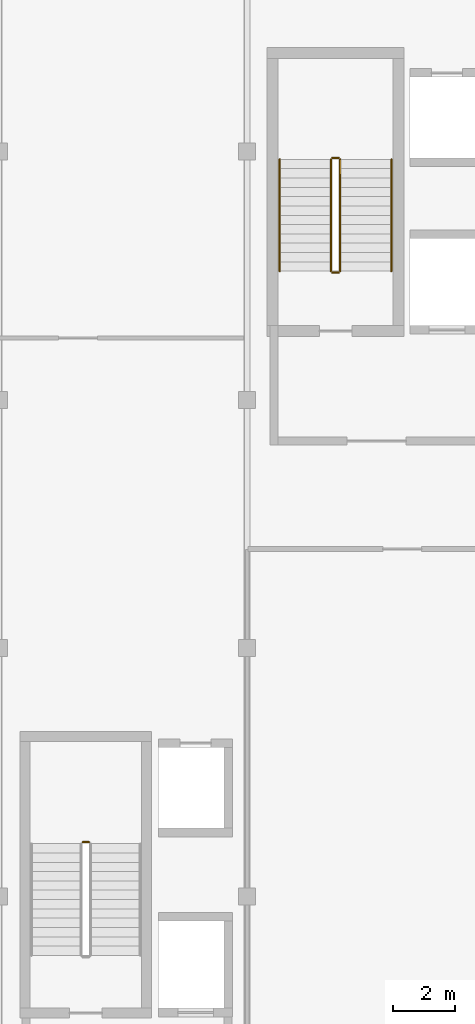
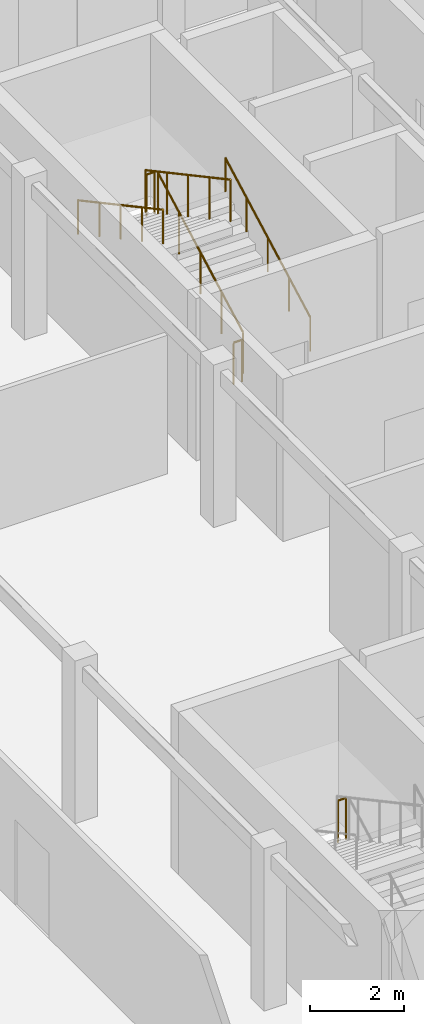
# One storey, part 9 of 9: 7 railings.
"""IFC4 building model written with IfcOpenShell, lengths in metres."""

from ifc_helpers import new_model, si_unit, direction, frame, origin, origin_2d, place, context, subcontext, project, spatial, circle, extrude, material, type_object, element, save


model = new_model("IFC4")

# Units and contexts
model_context = context("Model", 3, precision=1e-05, world=origin(), true_north=direction((0.0, 1.0)))
body_context = subcontext(model_context, "Body", "Model", "MODEL_VIEW")
ifc_project = project(units=[si_unit("LENGTHUNIT", "METRE"), si_unit("AREAUNIT", "SQUARE_METRE"), si_unit("VOLUMEUNIT", "CUBIC_METRE"), si_unit("PLANEANGLEUNIT", "RADIAN"), si_unit("MASSUNIT", "GRAM", prefix="KILO")], contexts=[model_context])

# Site, building, storey
site_placement = place(None, origin())
site = spatial("IfcSite", under=ifc_project, at=site_placement, CompositionType="ELEMENT")
building_placement = place(site_placement, origin())
building = spatial("IfcBuilding", under=site, at=building_placement, Name="Kenh Van Central Station", CompositionType="ELEMENT")
storey_placement = place(building_placement, frame((0.0, 0.0, 23.39990234375)))
storey = spatial("IfcBuildingStorey", under=building, at=storey_placement, Name="L05", CompositionType="ELEMENT", Elevation=23.39990234375)

# Railings
ifc_material = material(Name="Champagne anodised aluminium", Category="aluminium")
railing_type_1 = type_object("IfcRailingType", Name="RAIL-CORE-GRD110", PredefinedType="GUARDRAIL", material=ifc_material)
railing_1_placement = place(storey_placement, frame((154.89990234375, 33.75, 2.10009765625)))
element("IfcRailing", 1, at=railing_1_placement, inside=storey, type_object=railing_type_1, Name="L05 ST-09 stair guard 2", PredefinedType="GUARDRAIL", context=body_context, shape_type="SweptSolid", body=[
    extrude(circle(Radius=0.02392578125, at=origin_2d()), frame((0.0, 0.0, 1.076171875), z_axis=(-1.0, 0.0, 0.0), x_axis=(0.0, -1.0, 0.0)), (0.0, 0.0, 1.0), 0.199951171875),
    extrude(circle(Radius=0.02099609375, at=origin_2d()), origin(), (0.0, 0.0, 1.0), 1.052001953125),
    extrude(circle(Radius=0.02099609375, at=origin_2d()), frame((-0.199951171875, 0.0, 0.0)), (0.0, 0.0, 1.0), 1.052001953125),
])
railing_2_placement = place(storey_placement, frame((163.0, 52.14990234375, 0.16162109375)))
element("IfcRailing", 2, at=railing_2_placement, inside=storey, type_object=railing_type_1, Name="L05 ST-10 stair guard 1", PredefinedType="GUARDRAIL", context=body_context, shape_type="SweptSolid", body=[
    extrude(circle(Radius=0.02392578125, at=origin_2d()), frame((0.0, 0.0, 1.076171875), z_axis=(0.0, 0.880474934443, 0.474092701714), x_axis=(-1.0, 0.0, 0.0)), (0.0, 0.0, 1.0), 4.0888671875),
    extrude(circle(Radius=0.02099609375, at=origin_2d()), origin(), (0.0, 0.0, 1.0), 1.052001953125),
    extrude(circle(Radius=0.02099609375, at=origin_2d()), frame((0.0, 0.89990234375, 0.484619140625)), (0.0, 0.0, 1.0), 1.052001953125),
    extrude(circle(Radius=0.02099609375, at=origin_2d()), frame((0.0, 1.800048828125, 0.96923828125)), (0.0, 0.0, 1.0), 1.052001953125),
    extrude(circle(Radius=0.02099609375, at=origin_2d()), frame((0.0, 2.7001953125, 1.453857421875)), (0.0, 0.0, 1.0), 1.052001953125),
    extrude(circle(Radius=0.02099609375, at=origin_2d()), frame((0.0, 3.60009765625, 1.9384765625)), (0.0, 0.0, 1.0), 1.052001953125),
])
railing_3_placement = place(storey_placement, frame((162.949951171875, 55.800048828125, 2.10009765625)))
element("IfcRailing", 3, at=railing_3_placement, inside=storey, type_object=railing_type_1, Name="L05 ST-10 stair guard 2", PredefinedType="GUARDRAIL", context=body_context, shape_type="SweptSolid", body=[
    extrude(circle(Radius=0.02392578125, at=origin_2d()), frame((0.0, 0.0, 1.076171875), z_axis=(-1.0, 0.0, 0.0), x_axis=(0.0, -1.0, 0.0)), (0.0, 0.0, 1.0), 0.199951171875),
    extrude(circle(Radius=0.02099609375, at=origin_2d()), origin(), (0.0, 0.0, 1.0), 1.052001953125),
    extrude(circle(Radius=0.02099609375, at=origin_2d()), frame((-0.199951171875, 0.0, 0.0)), (0.0, 0.0, 1.0), 1.052001953125),
])
railing_4_placement = place(storey_placement, frame((162.699951171875, 55.75, 2.26171875)))
element("IfcRailing", 4, at=railing_4_placement, inside=storey, type_object=railing_type_1, Name="L05 ST-10 stair guard 3", PredefinedType="GUARDRAIL", context=body_context, shape_type="SweptSolid", body=[
    extrude(circle(Radius=0.02392578125, at=origin_2d()), frame((0.0, 0.0, 1.076171875), z_axis=(0.0, -0.880474934443, 0.474092701714), x_axis=(1.0, 0.0, 0.0)), (0.0, 0.0, 1.0), 4.0888671875),
    extrude(circle(Radius=0.02099609375, at=origin_2d()), origin(), (0.0, 0.0, 1.0), 1.052001953125),
    extrude(circle(Radius=0.02099609375, at=origin_2d()), frame((0.0, -0.89990234375, 0.484619140625)), (0.0, 0.0, 1.0), 1.052001953125),
    extrude(circle(Radius=0.02099609375, at=origin_2d()), frame((0.0, -1.800048828125, 0.96923828125)), (0.0, 0.0, 1.0), 1.052001953125),
    extrude(circle(Radius=0.02099609375, at=origin_2d()), frame((0.0, -2.7001953125, 1.453857421875)), (0.0, 0.0, 1.0), 1.052001953125),
    extrude(circle(Radius=0.02099609375, at=origin_2d()), frame((0.0, -3.60009765625, 1.9384765625)), (0.0, 0.0, 1.0), 1.052001953125),
])
railing_5_placement = place(storey_placement, frame((162.949951171875, 52.10009765625, 0.0)))
element("IfcRailing", 5, at=railing_5_placement, inside=storey, type_object=railing_type_1, Name="L05 ST-10 stair guard 4", PredefinedType="GUARDRAIL", context=body_context, shape_type="SweptSolid", body=[
    extrude(circle(Radius=0.02392578125, at=origin_2d()), frame((0.0, 0.0, 1.076171875), z_axis=(-1.0, 0.0, 0.0), x_axis=(0.0, -1.0, 0.0)), (0.0, 0.0, 1.0), 0.199951171875),
    extrude(circle(Radius=0.02099609375, at=origin_2d()), origin(), (0.0, 0.0, 1.0), 1.052001953125),
    extrude(circle(Radius=0.02099609375, at=origin_2d()), frame((-0.199951171875, 0.0, 0.0)), (0.0, 0.0, 1.0), 1.052001953125),
])
railing_type_2 = type_object("IfcRailingType", Name="RAIL-CORE-HND90", PredefinedType="HANDRAIL", material=ifc_material)
railing_6_placement = place(storey_placement, frame((164.64990234375, 52.14990234375, 0.16162109375)))
element("IfcRailing", 6, at=railing_6_placement, inside=storey, type_object=railing_type_2, Name="L05 ST-10 stair handrail 1", PredefinedType="HANDRAIL", context=body_context, shape_type="SweptSolid", body=[
    extrude(circle(Radius=0.02392578125, at=origin_2d()), frame((0.0, 0.0, 0.8759765625), z_axis=(0.0, 0.880474934443, 0.474092701714), x_axis=(-1.0, 0.0, 0.0)), (0.0, 0.0, 1.0), 4.0888671875),
    extrude(circle(Radius=0.02099609375, at=origin_2d()), origin(), (0.0, 0.0, 1.0), 0.851806640625),
    extrude(circle(Radius=0.02099609375, at=origin_2d()), frame((0.0, 0.89990234375, 0.484619140625)), (0.0, 0.0, 1.0), 0.851806640625),
    extrude(circle(Radius=0.02099609375, at=origin_2d()), frame((0.0, 1.800048828125, 0.96923828125)), (0.0, 0.0, 1.0), 0.851806640625),
    extrude(circle(Radius=0.02099609375, at=origin_2d()), frame((0.0, 2.7001953125, 1.453857421875)), (0.0, 0.0, 1.0), 0.851806640625),
    extrude(circle(Radius=0.02099609375, at=origin_2d()), frame((0.0, 3.60009765625, 1.9384765625)), (0.0, 0.0, 1.0), 0.851806640625),
])
railing_7_placement = place(storey_placement, frame((161.050048828125, 55.75, 2.26171875)))
element("IfcRailing", 7, at=railing_7_placement, inside=storey, type_object=railing_type_2, Name="L05 ST-10 stair handrail 2", PredefinedType="HANDRAIL", context=body_context, shape_type="SweptSolid", body=[
    extrude(circle(Radius=0.02392578125, at=origin_2d()), frame((0.0, 0.0, 0.8759765625), z_axis=(0.0, -0.880474934443, 0.474092701714), x_axis=(1.0, 0.0, 0.0)), (0.0, 0.0, 1.0), 4.0888671875),
    extrude(circle(Radius=0.02099609375, at=origin_2d()), origin(), (0.0, 0.0, 1.0), 0.851806640625),
    extrude(circle(Radius=0.02099609375, at=origin_2d()), frame((0.0, -0.89990234375, 0.484619140625)), (0.0, 0.0, 1.0), 0.851806640625),
    extrude(circle(Radius=0.02099609375, at=origin_2d()), frame((0.0, -1.800048828125, 0.96923828125)), (0.0, 0.0, 1.0), 0.851806640625),
    extrude(circle(Radius=0.02099609375, at=origin_2d()), frame((0.0, -2.7001953125, 1.453857421875)), (0.0, 0.0, 1.0), 0.851806640625),
    extrude(circle(Radius=0.02099609375, at=origin_2d()), frame((0.0, -3.60009765625, 1.9384765625)), (0.0, 0.0, 1.0), 0.851806640625),
])

save(model, "model.ifc")
